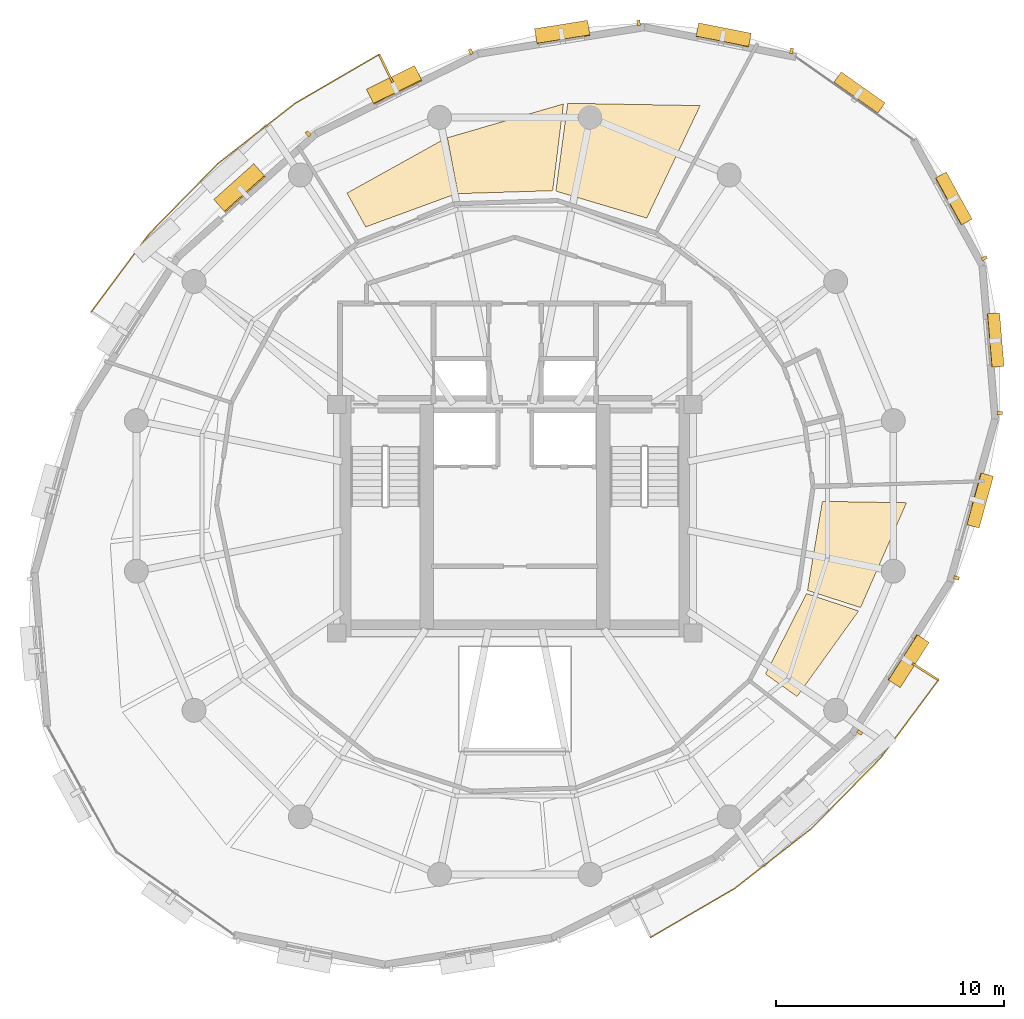
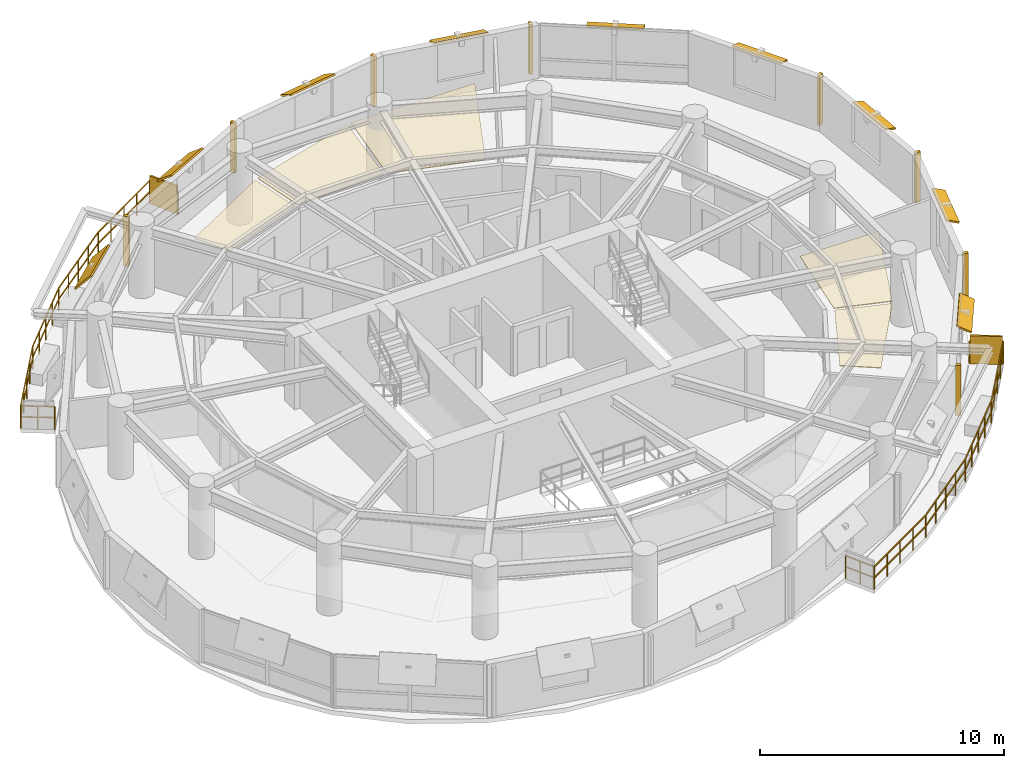
# One storey, part 12 of 12: 19 shading devices, 5 coverings, 2 railings.
"""IFC4 building model written with IfcOpenShell, lengths in metres."""

import ifcopenshell
import ifcopenshell.guid

model = None  # the IFC model being written
_history = None  # IfcOwnerHistory: only IFC2X3 demands one
_inside = {}  # id of a spatial element -> (the spatial element, [elements in it])
_under = {}  # id of a project, library or spatial element -> (it, [spatial elements below it])
_declared = {}  # id of a project -> (the project, [libraries it declares])
_typed = {}  # id of a type object -> (the type object, [elements of that type])
_made_of = {}  # id of a material, layer set ... -> (it, [elements and type objects made of it])


def new_model(schema):
    """Start an empty IFC model of exactly this schema.

    Asked for "IFC4X3", IfcOpenShell would pick the latest addendum, in which some entities
    have other attributes; the version numbers below select the first issue.
    IFC2X3 requires an IfcOwnerHistory on every rooted entity: one is made here for all.
    """
    global model, _history
    if schema == "IFC4X3":
        model = ifcopenshell.file(schema_version=(4, 3, 0, 0))
    else:
        model = ifcopenshell.file(schema=schema)
    _inside.clear()
    _under.clear()
    _declared.clear()
    _typed.clear()
    _made_of.clear()
    _history = None
    if model.schema == "IFC2X3":
        org = make("IfcOrganization", Name="unknown")
        user = make(
            "IfcPersonAndOrganization",
            ThePerson=make("IfcPerson", FamilyName="unknown"),
            TheOrganization=org,
        )
        app = make(
            "IfcApplication",
            ApplicationDeveloper=org,
            Version="unknown",
            ApplicationFullName="unknown",
            ApplicationIdentifier="unknown",
        )
        _history = make(
            "IfcOwnerHistory",
            OwningUser=user,
            OwningApplication=app,
            ChangeAction="ADDED",
            CreationDate=0,
        )
    return model


def make(cls, **values):
    """One entity of the class cls with the attributes given. An attribute that is None is left unset."""
    return model.create_entity(
        cls, **{name: value for name, value in values.items() if value is not None}
    )


def rooted(cls, **values):
    """An entity with a GlobalId (a new one), such as an element, a storey or a relation."""
    return make(cls, GlobalId=ifcopenshell.guid.new(), OwnerHistory=_history, **values)


def si_unit(unit_type, name, prefix=None):
    """IfcSIUnit, for example si_unit("LENGTHUNIT", "METRE", prefix="MILLI")."""
    return make("IfcSIUnit", UnitType=unit_type, Prefix=prefix, Name=name)


def assignment(units):
    """IfcUnitAssignment: the units of a project."""
    return None if units is None else make("IfcUnitAssignment", Units=units)


def point(xyz):
    """IfcCartesianPoint."""
    return None if xyz is None else make("IfcCartesianPoint", Coordinates=xyz)


def direction(xyz):
    """IfcDirection."""
    return None if xyz is None else make("IfcDirection", DirectionRatios=xyz)


def frame(location, z_axis=None, x_axis=None):
    """IfcAxis2Placement3D, a coordinate frame: its origin and axes. An axis left out is left unset."""
    return make(
        "IfcAxis2Placement3D",
        Location=point(location),
        Axis=direction(z_axis),
        RefDirection=direction(x_axis),
    )


def frame_2d(location, x_axis=None):
    """IfcAxis2Placement2D, a coordinate frame in the plane: its origin and x axis."""
    return make(
        "IfcAxis2Placement2D", Location=point(location), RefDirection=direction(x_axis)
    )


def origin():
    """The frame at (0, 0, 0) with its axes left unset."""
    return frame((0.0, 0.0, 0.0))


def origin_2d():
    """The frame at (0, 0) in the plane with its x axis left unset."""
    return frame_2d((0.0, 0.0))


def place(relative_to, where):
    """IfcLocalPlacement: puts the frame where relative to a parent placement (None: the world)."""
    return make(
        "IfcLocalPlacement", PlacementRelTo=relative_to, RelativePlacement=where
    )


def context(
    kind, dimensions, precision=None, world=None, true_north=None, identifier=None
):
    """IfcGeometricRepresentationContext, for example the 3D "Model" context."""
    return make(
        "IfcGeometricRepresentationContext",
        ContextIdentifier=identifier,
        ContextType=kind,
        CoordinateSpaceDimension=dimensions,
        Precision=precision,
        WorldCoordinateSystem=world,
        TrueNorth=true_north,
    )


def subcontext(parent, identifier, kind, view, scale=None):
    """IfcGeometricRepresentationSubContext, for example "Body" below "Model"."""
    return make(
        "IfcGeometricRepresentationSubContext",
        ContextIdentifier=identifier,
        ContextType=kind,
        ParentContext=parent,
        TargetScale=scale,
        TargetView=view,
    )


def project(units=None, contexts=None):
    """IfcProject with its units and contexts."""
    return rooted(
        "IfcProject",
        Name="project",
        RepresentationContexts=contexts,
        UnitsInContext=assignment(units),
    )


def spatial(cls, under=None, at=None, **own):
    """A site, building, storey or space (cls), placed at a placement, below another one or the project."""
    s = rooted(cls, ObjectPlacement=at, **own)
    if under is not None:
        _under.setdefault(under.id(), (under, []))[1].append(s)
    return s


def polyline(points):
    """IfcPolyline through the points."""
    return make("IfcPolyline", Points=[point(p) for p in points])


def profile(cls, at=None, kind="AREA", **sizes):
    """A parametric profile (cls). Its sizes go by their IFC names, for example OverallWidth=200.0."""
    return make(cls, ProfileType=kind, Position=at, **sizes)


def rectangle(**sizes):
    """IfcRectangleProfileDef."""
    return profile("IfcRectangleProfileDef", **sizes)


def outline(outer, holes=None, kind="AREA"):
    """IfcArbitraryClosedProfileDef: a profile drawn as a closed curve; with holes, ...WithVoids."""
    if holes is None:
        return make("IfcArbitraryClosedProfileDef", ProfileType=kind, OuterCurve=outer)
    return make(
        "IfcArbitraryProfileDefWithVoids",
        ProfileType=kind,
        OuterCurve=outer,
        InnerCurves=holes,
    )


def extrude(swept, where, along, depth):
    """IfcExtrudedAreaSolid: the profile swept, set in the frame where, extruded along a direction by depth."""
    return make(
        "IfcExtrudedAreaSolid",
        SweptArea=swept,
        Position=where,
        ExtrudedDirection=direction(along),
        Depth=depth,
    )


def shape(context_of_items, identifier, shape_type, items):
    """IfcShapeRepresentation: the items that make up one representation, for example the "Body"."""
    return make(
        "IfcShapeRepresentation",
        ContextOfItems=context_of_items,
        RepresentationIdentifier=identifier,
        RepresentationType=shape_type,
        Items=items,
    )


def material(Name=None, Category=None):
    """IfcMaterial."""
    return make("IfcMaterial", Name=Name, Category=Category)


def layer(
    of_material, thickness, ventilated=None, Name=None, Category=None, Priority=None
):
    """IfcMaterialLayer: one layer of a wall or slab, of a material (None: an air gap)."""
    return make(
        "IfcMaterialLayer",
        Material=of_material,
        LayerThickness=thickness,
        IsVentilated=ventilated,
        Name=Name,
        Category=Category,
        Priority=Priority,
    )


def layer_set(layers, Name=None):
    """IfcMaterialLayerSet."""
    return make("IfcMaterialLayerSet", MaterialLayers=layers, LayerSetName=Name)


def made_of(thing, what):
    """Note that an element or type object is made of a material, layer set ...; save() writes the relation."""
    if what is not None:
        _made_of.setdefault(what.id(), (what, []))[1].append(thing)
    return thing


def type_object(cls, material=None, **own):
    """A type object (cls), such as IfcWallType, which elements share."""
    return made_of(rooted(cls, **own), material)


def element(
    cls,
    number,
    at=None,
    inside=None,
    cuts=None,
    type_object=None,
    material=None,
    context=None,
    identifier="Body",
    shape_type=None,
    held_by="IfcProductDefinitionShape",
    body=None,
    shapes=None,
    **own,
):
    """One element of the class cls, such as IfcWall. Its Tag is "e" and its number.

    at: its placement. inside: the storey or other place that contains it. cuts: it is an
    opening in that element (IfcRelVoidsElement). A single representation is given by context,
    identifier, shape_type and body (its items); several are given by shapes. held_by: the class
    of the entity that holds the representations. save() writes the other relations.
    """
    e = rooted(cls, Tag="e%d" % number, ObjectPlacement=at, **own)
    if body is not None:
        shapes = [shape(context, identifier, shape_type, body)]
    if shapes is not None:
        e.Representation = make(held_by, Representations=shapes)
    if inside is not None:
        _inside.setdefault(inside.id(), (inside, []))[1].append(e)
    if cuts is not None:
        rooted(
            "IfcRelVoidsElement", RelatingBuildingElement=cuts, RelatedOpeningElement=e
        )
    if type_object is not None:
        _typed.setdefault(type_object.id(), (type_object, []))[1].append(e)
    return made_of(e, material)


def aggregate(whole, parts):
    """IfcRelAggregates: a whole, such as a stair, and the parts it consists of."""
    return rooted("IfcRelAggregates", RelatingObject=whole, RelatedObjects=parts)


def save(model, path):
    """Write the relations noted so far, then the file.

    IfcRelAggregates (storeys below a building ...), IfcRelContainedInSpatialStructure (elements
    in a storey), IfcRelDefinesByType, IfcRelAssociatesMaterial and IfcRelDeclares: one each for
    every whole, place, type object, material and project.
    """
    for whole, parts in _under.values():
        aggregate(whole, parts)
    for where, things in _inside.values():
        rooted(
            "IfcRelContainedInSpatialStructure",
            RelatedElements=things,
            RelatingStructure=where,
        )
    for kind, things in _typed.values():
        rooted("IfcRelDefinesByType", RelatedObjects=things, RelatingType=kind)
    for what, things in _made_of.values():
        rooted("IfcRelAssociatesMaterial", RelatedObjects=things, RelatingMaterial=what)
    for by, libraries in _declared.values():
        rooted("IfcRelDeclares", RelatingContext=by, RelatedDefinitions=libraries)
    model.write(path)


model = new_model("IFC4")

# Units and contexts
model_context = context("Model", 3, precision=1e-05, world=origin(), true_north=direction((0.0, 1.0)))
body_context = subcontext(model_context, "Body", "Model", "MODEL_VIEW")
ifc_project = project(units=[si_unit("LENGTHUNIT", "METRE"), si_unit("AREAUNIT", "SQUARE_METRE"), si_unit("VOLUMEUNIT", "CUBIC_METRE"), si_unit("PLANEANGLEUNIT", "RADIAN"), si_unit("MASSUNIT", "GRAM", prefix="KILO"), si_unit("THERMODYNAMICTEMPERATUREUNIT", "KELVIN"), si_unit("POWERUNIT", "WATT")], contexts=[model_context])

# Site, building, storey
site_placement = place(None, origin())
site = spatial("IfcSite", under=ifc_project, at=site_placement, CompositionType="ELEMENT")
building_placement = place(site_placement, origin())
building = spatial("IfcBuilding", under=site, at=building_placement, Name="Ocrelia Relay Tower", CompositionType="ELEMENT")
storey_placement = place(building_placement, frame((0.0, 0.0, 206.0)))
storey = spatial("IfcBuildingStorey", under=building, at=storey_placement, Name="L50", CompositionType="ELEMENT", Elevation=206.0)

# Coverings
ifc_material_1 = material(Name="Mineral-fiber acoustic ceiling tile", Category="gypsum")
ifc_layer_1 = layer(ifc_material_1, 0.0400390625, Name="Mineral-fiber acoustic ceiling tile")
ifc_layer_set_1 = layer_set([ifc_layer_1], Name="Mineral-fiber acoustic ceiling tile")
covering_type = type_object("IfcCoveringType", Name="COV-CEIL-ACOUSTIC", PredefinedType="CEILING", material=ifc_layer_set_1)
covering_1_placement = place(storey_placement, frame((0.0, 0.0, 2.3798828125)))
element("IfcCovering", 1, at=covering_1_placement, inside=storey, type_object=covering_type, Name="L50 Cloud Engineering Workspace Suspended Ceiling 1", PredefinedType="CEILING", context=body_context, shape_type="SweptSolid", body=[
    extrude(outline(polyline([(39.77783203125, 38.16796875), (42.11767578125, 43.095947265625), (36.31494140625, 43.197021484375), (35.797119140625, 39.349609375), (39.77783203125, 38.16796875)])), origin(), (0.0, 0.0, 1.0), 0.0400390625),
])
covering_2_placement = place(storey_placement, frame((0.0, 0.0, 2.3798828125)))
element("IfcCovering", 2, at=covering_2_placement, inside=storey, type_object=covering_type, Name="L50 Cloud Engineering Workspace Suspended Ceiling 2", PredefinedType="CEILING", context=body_context, shape_type="SweptSolid", body=[
    extrude(outline(polyline([(35.656982421875, 39.36767578125), (36.12841796875, 43.168212890625), (31.04541015625, 41.6865234375), (31.5068359375, 39.2373046875), (35.656982421875, 39.36767578125)])), origin(), (0.0, 0.0, 1.0), 0.0400390625),
])
covering_3_placement = place(storey_placement, frame((0.0, 0.0, 2.3798828125)))
element("IfcCovering", 3, at=covering_3_placement, inside=storey, type_object=covering_type, Name="L50 Cloud Engineering Workspace Suspended Ceiling 3", PredefinedType="CEILING", context=body_context, shape_type="SweptSolid", body=[
    extrude(outline(polyline([(31.368408203125, 39.21044921875), (30.888427734375, 41.619140625), (26.6484375, 39.262451171875), (27.469482421875, 37.781005859375), (31.368408203125, 39.21044921875)])), origin(), (0.0, 0.0, 1.0), 0.0400390625),
])
covering_4_placement = place(storey_placement, frame((0.0, 0.0, 2.3798828125)))
element("IfcCovering", 4, at=covering_4_placement, inside=storey, type_object=covering_type, Name="L50 Telemetry Operations Office Suspended Ceiling 1", PredefinedType="CEILING", context=body_context, shape_type="SweptSolid", body=[
    extrude(outline(polyline([(44.979736328125, 18.197021484375), (46.3603515625, 17.216064453125), (49.056396484375, 20.962158203125), (46.77392578125, 21.725830078125), (44.979736328125, 18.197021484375)])), origin(), (0.0, 0.0, 1.0), 0.0400390625),
])
covering_5_placement = place(storey_placement, frame((0.0, 0.0, 2.3798828125)))
element("IfcCovering", 5, at=covering_5_placement, inside=storey, type_object=covering_type, Name="L50 Telemetry Operations Office Suspended Ceiling 2", PredefinedType="CEILING", context=body_context, shape_type="SweptSolid", body=[
    extrude(outline(polyline([(46.818115234375, 21.85986328125), (49.141845703125, 21.109375), (51.1533203125, 25.70068359375), (47.468017578125, 25.764892578125), (46.818115234375, 21.85986328125)])), origin(), (0.0, 0.0, 1.0), 0.0400390625),
])

# Railings
ifc_material_2 = material(Name="Steel S355 balustrade", Category="steel")
railing_type = type_object("IfcRailingType", Name="RL-EXT-GUARD-1150", PredefinedType="GUARDRAIL", material=ifc_material_2)
railing_1_placement = place(storey_placement, frame((16.620849609375, 33.3154296875, 0.0)))
element("IfcRailing", 6, at=railing_1_placement, inside=storey, type_object=railing_type, Name="L50 Loggia Balcony Guard Rail B1", PredefinedType="GUARDRAIL", context=body_context, shape_type="SweptSolid", body=[
    extrude(rectangle(XDim=0.048095703125, YDim=0.048095703125, at=origin_2d()), frame((0.0, 0.0, 1.1259765625), z_axis=(-0.842910375018, 0.538053993282, 0.0), x_axis=(-0.538053993282, -0.842910375018, 0.0)), (0.0, 0.0, 1.0), 1.3935546875),
    extrude(rectangle(XDim=0.048095703125, YDim=0.048095703125, at=origin_2d()), frame((0.0, 0.0, 0.574951171875), z_axis=(-0.842910375018, 0.538053993282, 0.0), x_axis=(-0.538053993282, -0.842910375018, 0.0)), (0.0, 0.0, 1.0), 1.3935546875),
    extrude(rectangle(XDim=0.048095703125, YDim=0.048095703125, at=origin_2d()), frame((-1.174560546875, 0.749755859375, 1.1259765625), z_axis=(0.596006929615, 0.802979289802, 0.0), x_axis=(-0.802979289802, 0.596006929615, 0.0)), (0.0, 0.0, 1.0), 2.126708984375),
    extrude(rectangle(XDim=0.048095703125, YDim=0.048095703125, at=origin_2d()), frame((-1.174560546875, 0.749755859375, 0.574951171875), z_axis=(0.596006929615, 0.802979289802, 0.0), x_axis=(-0.802979289802, 0.596006929615, 0.0)), (0.0, 0.0, 1.0), 2.126708984375),
    extrude(rectangle(XDim=0.048095703125, YDim=0.048095703125, at=origin_2d()), frame((0.093017578125, 2.45751953125, 1.1259765625), z_axis=(0.595987848361, 0.802993452405, 0.0), x_axis=(-0.802993452405, 0.595987848361, 0.0)), (0.0, 0.0, 1.0), 2.12646484375),
    extrude(rectangle(XDim=0.048095703125, YDim=0.048095703125, at=origin_2d()), frame((0.093017578125, 2.45751953125, 0.574951171875), z_axis=(0.595987848361, 0.802993452405, 0.0), x_axis=(-0.802993452405, 0.595987848361, 0.0)), (0.0, 0.0, 1.0), 2.12646484375),
    extrude(rectangle(XDim=0.048095703125, YDim=0.048095703125, at=origin_2d()), frame((1.3603515625, 4.1650390625, 1.1259765625), z_axis=(0.699198268151, 0.714927815807, 0.0), x_axis=(-0.714927815807, 0.699198268151, 0.0)), (0.0, 0.0, 1.0), 4.29931640625),
    extrude(rectangle(XDim=0.048095703125, YDim=0.048095703125, at=origin_2d()), frame((1.3603515625, 4.1650390625, 0.574951171875), z_axis=(0.699198268151, 0.714927815807, 0.0), x_axis=(-0.714927815807, 0.699198268151, 0.0)), (0.0, 0.0, 1.0), 4.29931640625),
    extrude(rectangle(XDim=0.048095703125, YDim=0.048095703125, at=origin_2d()), frame((4.366455078125, 7.23876953125, 1.1259765625), z_axis=(0.788440058433, 0.615111594964, 0.0), x_axis=(-0.615111594964, 0.788440058433, 0.0)), (0.0, 0.0, 1.0), 4.298828125),
    extrude(rectangle(XDim=0.048095703125, YDim=0.048095703125, at=origin_2d()), frame((4.366455078125, 7.23876953125, 0.574951171875), z_axis=(0.788440058433, 0.615111594964, 0.0), x_axis=(-0.615111594964, 0.788440058433, 0.0)), (0.0, 0.0, 1.0), 4.298828125),
    extrude(rectangle(XDim=0.048095703125, YDim=0.048095703125, at=origin_2d()), frame((7.755859375, 9.883056640625, 1.1259765625), z_axis=(0.864373741917, 0.502849912285, 0.0), x_axis=(-0.502849912285, 0.864373741917, 0.0)), (0.0, 0.0, 1.0), 2.12646484375),
    extrude(rectangle(XDim=0.048095703125, YDim=0.048095703125, at=origin_2d()), frame((7.755859375, 9.883056640625, 0.574951171875), z_axis=(0.864373741917, 0.502849912285, 0.0), x_axis=(-0.502849912285, 0.864373741917, 0.0)), (0.0, 0.0, 1.0), 2.12646484375),
    extrude(rectangle(XDim=0.048095703125, YDim=0.048095703125, at=origin_2d()), frame((9.593994140625, 10.952392578125, 1.1259765625), z_axis=(0.864373741917, 0.502849912285, 0.0), x_axis=(-0.502849912285, 0.864373741917, 0.0)), (0.0, 0.0, 1.0), 2.12646484375),
    extrude(rectangle(XDim=0.048095703125, YDim=0.048095703125, at=origin_2d()), frame((9.593994140625, 10.952392578125, 0.574951171875), z_axis=(0.864373741917, 0.502849912285, 0.0), x_axis=(-0.502849912285, 0.864373741917, 0.0)), (0.0, 0.0, 1.0), 2.12646484375),
    extrude(rectangle(XDim=0.048095703125, YDim=0.048095703125, at=origin_2d()), frame((11.43212890625, 12.021728515625, 1.1259765625), z_axis=(0.440824636591, -0.897593248512, 0.0), x_axis=(0.897593248512, 0.440824636591, 0.0)), (0.0, 0.0, 1.0), 1.393310546875),
    extrude(rectangle(XDim=0.048095703125, YDim=0.048095703125, at=origin_2d()), frame((11.43212890625, 12.021728515625, 0.574951171875), z_axis=(0.440824636591, -0.897593248512, 0.0), x_axis=(0.897593248512, 0.440824636591, 0.0)), (0.0, 0.0, 1.0), 1.393310546875),
    extrude(rectangle(XDim=0.0419921875, YDim=0.0419921875, at=origin_2d()), origin(), (0.0, 0.0, 1.0), 1.101806640625),
    extrude(rectangle(XDim=0.0419921875, YDim=0.0419921875, at=origin_2d()), frame((-0.58740234375, 0.375, 0.0)), (0.0, 0.0, 1.0), 1.101806640625),
    extrude(rectangle(XDim=0.0419921875, YDim=0.0419921875, at=origin_2d()), frame((-1.174560546875, 0.749755859375, 0.0)), (0.0, 0.0, 1.0), 1.101806640625),
    extrude(rectangle(XDim=0.0419921875, YDim=0.0419921875, at=origin_2d()), frame((-0.540771484375, 1.603515625, 0.0)), (0.0, 0.0, 1.0), 1.101806640625),
    extrude(rectangle(XDim=0.0419921875, YDim=0.0419921875, at=origin_2d()), frame((0.093017578125, 2.45751953125, 0.0)), (0.0, 0.0, 1.0), 1.101806640625),
    extrude(rectangle(XDim=0.0419921875, YDim=0.0419921875, at=origin_2d()), frame((0.7265625, 3.311279296875, 0.0)), (0.0, 0.0, 1.0), 1.101806640625),
    extrude(rectangle(XDim=0.0419921875, YDim=0.0419921875, at=origin_2d()), frame((1.3603515625, 4.1650390625, 0.0)), (0.0, 0.0, 1.0), 1.101806640625),
    extrude(rectangle(XDim=0.0419921875, YDim=0.0419921875, at=origin_2d()), frame((2.11181640625, 4.93359375, 0.0)), (0.0, 0.0, 1.0), 1.101806640625),
    extrude(rectangle(XDim=0.0419921875, YDim=0.0419921875, at=origin_2d()), frame((2.86328125, 5.701904296875, 0.0)), (0.0, 0.0, 1.0), 1.101806640625),
    extrude(rectangle(XDim=0.0419921875, YDim=0.0419921875, at=origin_2d()), frame((3.614990234375, 6.47021484375, 0.0)), (0.0, 0.0, 1.0), 1.101806640625),
    extrude(rectangle(XDim=0.0419921875, YDim=0.0419921875, at=origin_2d()), frame((4.366455078125, 7.23876953125, 0.0)), (0.0, 0.0, 1.0), 1.101806640625),
    extrude(rectangle(XDim=0.0419921875, YDim=0.0419921875, at=origin_2d()), frame((5.2138671875, 7.89990234375, 0.0)), (0.0, 0.0, 1.0), 1.101806640625),
    extrude(rectangle(XDim=0.0419921875, YDim=0.0419921875, at=origin_2d()), frame((6.06103515625, 8.56103515625, 0.0)), (0.0, 0.0, 1.0), 1.101806640625),
    extrude(rectangle(XDim=0.0419921875, YDim=0.0419921875, at=origin_2d()), frame((6.908447265625, 9.221923828125, 0.0)), (0.0, 0.0, 1.0), 1.101806640625),
    extrude(rectangle(XDim=0.0419921875, YDim=0.0419921875, at=origin_2d()), frame((7.755859375, 9.883056640625, 0.0)), (0.0, 0.0, 1.0), 1.101806640625),
    extrude(rectangle(XDim=0.0419921875, YDim=0.0419921875, at=origin_2d()), frame((8.6748046875, 10.417724609375, 0.0)), (0.0, 0.0, 1.0), 1.101806640625),
    extrude(rectangle(XDim=0.0419921875, YDim=0.0419921875, at=origin_2d()), frame((9.593994140625, 10.952392578125, 0.0)), (0.0, 0.0, 1.0), 1.101806640625),
    extrude(rectangle(XDim=0.0419921875, YDim=0.0419921875, at=origin_2d()), frame((10.51318359375, 11.487060546875, 0.0)), (0.0, 0.0, 1.0), 1.101806640625),
    extrude(rectangle(XDim=0.0419921875, YDim=0.0419921875, at=origin_2d()), frame((11.43212890625, 12.021728515625, 0.0)), (0.0, 0.0, 1.0), 1.101806640625),
    extrude(rectangle(XDim=0.0419921875, YDim=0.0419921875, at=origin_2d()), frame((11.7392578125, 11.396484375, 0.0)), (0.0, 0.0, 1.0), 1.101806640625),
    extrude(rectangle(XDim=0.0419921875, YDim=0.0419921875, at=origin_2d()), frame((12.04638671875, 10.77099609375, 0.0)), (0.0, 0.0, 1.0), 1.101806640625),
])
railing_2_placement = place(storey_placement, frame((51.379150390625, 18.6845703125, 0.0)))
element("IfcRailing", 7, at=railing_2_placement, inside=storey, type_object=railing_type, Name="L50 Loggia Balcony Guard Rail B2", PredefinedType="GUARDRAIL", context=body_context, shape_type="SweptSolid", body=[
    extrude(rectangle(XDim=0.048095703125, YDim=0.048095703125, at=origin_2d()), frame((0.0, 0.0, 1.1259765625), z_axis=(0.842910375018, -0.538053993282, 0.0), x_axis=(0.538053993282, 0.842910375018, 0.0)), (0.0, 0.0, 1.0), 1.3935546875),
    extrude(rectangle(XDim=0.048095703125, YDim=0.048095703125, at=origin_2d()), frame((0.0, 0.0, 0.574951171875), z_axis=(0.842910375018, -0.538053993282, 0.0), x_axis=(0.538053993282, 0.842910375018, 0.0)), (0.0, 0.0, 1.0), 1.3935546875),
    extrude(rectangle(XDim=0.048095703125, YDim=0.048095703125, at=origin_2d()), frame((1.174560546875, -0.749755859375, 1.1259765625), z_axis=(-0.595932906069, -0.803034228078, 0.0), x_axis=(0.803034228078, -0.595932906069, 0.0)), (0.0, 0.0, 1.0), 2.126708984375),
    extrude(rectangle(XDim=0.048095703125, YDim=0.048095703125, at=origin_2d()), frame((1.174560546875, -0.749755859375, 0.574951171875), z_axis=(-0.595932906069, -0.803034228078, 0.0), x_axis=(0.803034228078, -0.595932906069, 0.0)), (0.0, 0.0, 1.0), 2.126708984375),
    extrude(rectangle(XDim=0.048095703125, YDim=0.048095703125, at=origin_2d()), frame((-0.0927734375, -2.45751953125, 1.1259765625), z_axis=(-0.596061871212, -0.802938506791, 0.0), x_axis=(0.802938506791, -0.596061871212, 0.0)), (0.0, 0.0, 1.0), 2.126708984375),
    extrude(rectangle(XDim=0.048095703125, YDim=0.048095703125, at=origin_2d()), frame((-0.0927734375, -2.45751953125, 0.574951171875), z_axis=(-0.596061871212, -0.802938506791, 0.0), x_axis=(0.802938506791, -0.596061871212, 0.0)), (0.0, 0.0, 1.0), 2.126708984375),
    extrude(rectangle(XDim=0.048095703125, YDim=0.048095703125, at=origin_2d()), frame((-1.3603515625, -4.1650390625, 1.1259765625), z_axis=(-0.699198268151, -0.714927815807, 0.0), x_axis=(0.714927815807, -0.699198268151, 0.0)), (0.0, 0.0, 1.0), 4.29931640625),
    extrude(rectangle(XDim=0.048095703125, YDim=0.048095703125, at=origin_2d()), frame((-1.3603515625, -4.1650390625, 0.574951171875), z_axis=(-0.699198268151, -0.714927815807, 0.0), x_axis=(0.714927815807, -0.699198268151, 0.0)), (0.0, 0.0, 1.0), 4.29931640625),
    extrude(rectangle(XDim=0.048095703125, YDim=0.048095703125, at=origin_2d()), frame((-4.366455078125, -7.23876953125, 1.1259765625), z_axis=(-0.788440058433, -0.615111594964, 0.0), x_axis=(0.615111594964, -0.788440058433, 0.0)), (0.0, 0.0, 1.0), 4.298828125),
    extrude(rectangle(XDim=0.048095703125, YDim=0.048095703125, at=origin_2d()), frame((-4.366455078125, -7.23876953125, 0.574951171875), z_axis=(-0.788440058433, -0.615111594964, 0.0), x_axis=(0.615111594964, -0.788440058433, 0.0)), (0.0, 0.0, 1.0), 4.298828125),
    extrude(rectangle(XDim=0.048095703125, YDim=0.048095703125, at=origin_2d()), frame((-7.755859375, -9.883056640625, 1.1259765625), z_axis=(-0.864373741917, -0.502849912285, 0.0), x_axis=(0.502849912285, -0.864373741917, 0.0)), (0.0, 0.0, 1.0), 2.12646484375),
    extrude(rectangle(XDim=0.048095703125, YDim=0.048095703125, at=origin_2d()), frame((-7.755859375, -9.883056640625, 0.574951171875), z_axis=(-0.864373741917, -0.502849912285, 0.0), x_axis=(0.502849912285, -0.864373741917, 0.0)), (0.0, 0.0, 1.0), 2.12646484375),
    extrude(rectangle(XDim=0.048095703125, YDim=0.048095703125, at=origin_2d()), frame((-9.593994140625, -10.952392578125, 1.1259765625), z_axis=(-0.864373741917, -0.502849912285, 0.0), x_axis=(0.502849912285, -0.864373741917, 0.0)), (0.0, 0.0, 1.0), 2.12646484375),
    extrude(rectangle(XDim=0.048095703125, YDim=0.048095703125, at=origin_2d()), frame((-9.593994140625, -10.952392578125, 0.574951171875), z_axis=(-0.864373741917, -0.502849912285, 0.0), x_axis=(0.502849912285, -0.864373741917, 0.0)), (0.0, 0.0, 1.0), 2.12646484375),
    extrude(rectangle(XDim=0.048095703125, YDim=0.048095703125, at=origin_2d()), frame((-11.43212890625, -12.021728515625, 1.1259765625), z_axis=(-0.440824636591, 0.897593248512, 0.0), x_axis=(-0.897593248512, -0.440824636591, 0.0)), (0.0, 0.0, 1.0), 1.393310546875),
    extrude(rectangle(XDim=0.048095703125, YDim=0.048095703125, at=origin_2d()), frame((-11.43212890625, -12.021728515625, 0.574951171875), z_axis=(-0.440824636591, 0.897593248512, 0.0), x_axis=(-0.897593248512, -0.440824636591, 0.0)), (0.0, 0.0, 1.0), 1.393310546875),
    extrude(rectangle(XDim=0.0419921875, YDim=0.0419921875, at=origin_2d()), origin(), (0.0, 0.0, 1.0), 1.101806640625),
    extrude(rectangle(XDim=0.0419921875, YDim=0.0419921875, at=origin_2d()), frame((0.58740234375, -0.375, 0.0)), (0.0, 0.0, 1.0), 1.101806640625),
    extrude(rectangle(XDim=0.0419921875, YDim=0.0419921875, at=origin_2d()), frame((1.174560546875, -0.749755859375, 0.0)), (0.0, 0.0, 1.0), 1.101806640625),
    extrude(rectangle(XDim=0.0419921875, YDim=0.0419921875, at=origin_2d()), frame((0.541015625, -1.603515625, 0.0)), (0.0, 0.0, 1.0), 1.101806640625),
    extrude(rectangle(XDim=0.0419921875, YDim=0.0419921875, at=origin_2d()), frame((-0.0927734375, -2.45751953125, 0.0)), (0.0, 0.0, 1.0), 1.101806640625),
    extrude(rectangle(XDim=0.0419921875, YDim=0.0419921875, at=origin_2d()), frame((-0.7265625, -3.311279296875, 0.0)), (0.0, 0.0, 1.0), 1.101806640625),
    extrude(rectangle(XDim=0.0419921875, YDim=0.0419921875, at=origin_2d()), frame((-1.3603515625, -4.1650390625, 0.0)), (0.0, 0.0, 1.0), 1.101806640625),
    extrude(rectangle(XDim=0.0419921875, YDim=0.0419921875, at=origin_2d()), frame((-2.11181640625, -4.93359375, 0.0)), (0.0, 0.0, 1.0), 1.101806640625),
    extrude(rectangle(XDim=0.0419921875, YDim=0.0419921875, at=origin_2d()), frame((-2.86328125, -5.701904296875, 0.0)), (0.0, 0.0, 1.0), 1.101806640625),
    extrude(rectangle(XDim=0.0419921875, YDim=0.0419921875, at=origin_2d()), frame((-3.614990234375, -6.47021484375, 0.0)), (0.0, 0.0, 1.0), 1.101806640625),
    extrude(rectangle(XDim=0.0419921875, YDim=0.0419921875, at=origin_2d()), frame((-4.366455078125, -7.23876953125, 0.0)), (0.0, 0.0, 1.0), 1.101806640625),
    extrude(rectangle(XDim=0.0419921875, YDim=0.0419921875, at=origin_2d()), frame((-5.2138671875, -7.89990234375, 0.0)), (0.0, 0.0, 1.0), 1.101806640625),
    extrude(rectangle(XDim=0.0419921875, YDim=0.0419921875, at=origin_2d()), frame((-6.06103515625, -8.56103515625, 0.0)), (0.0, 0.0, 1.0), 1.101806640625),
    extrude(rectangle(XDim=0.0419921875, YDim=0.0419921875, at=origin_2d()), frame((-6.908447265625, -9.221923828125, 0.0)), (0.0, 0.0, 1.0), 1.101806640625),
    extrude(rectangle(XDim=0.0419921875, YDim=0.0419921875, at=origin_2d()), frame((-7.755859375, -9.883056640625, 0.0)), (0.0, 0.0, 1.0), 1.101806640625),
    extrude(rectangle(XDim=0.0419921875, YDim=0.0419921875, at=origin_2d()), frame((-8.6748046875, -10.417724609375, 0.0)), (0.0, 0.0, 1.0), 1.101806640625),
    extrude(rectangle(XDim=0.0419921875, YDim=0.0419921875, at=origin_2d()), frame((-9.593994140625, -10.952392578125, 0.0)), (0.0, 0.0, 1.0), 1.101806640625),
    extrude(rectangle(XDim=0.0419921875, YDim=0.0419921875, at=origin_2d()), frame((-10.51318359375, -11.487060546875, 0.0)), (0.0, 0.0, 1.0), 1.101806640625),
    extrude(rectangle(XDim=0.0419921875, YDim=0.0419921875, at=origin_2d()), frame((-11.43212890625, -12.021728515625, 0.0)), (0.0, 0.0, 1.0), 1.101806640625),
    extrude(rectangle(XDim=0.0419921875, YDim=0.0419921875, at=origin_2d()), frame((-11.7392578125, -11.396484375, 0.0)), (0.0, 0.0, 1.0), 1.101806640625),
    extrude(rectangle(XDim=0.0419921875, YDim=0.0419921875, at=origin_2d()), frame((-12.04638671875, -10.77099609375, 0.0)), (0.0, 0.0, 1.0), 1.101806640625),
])

# Shading devices
ifc_material_3 = material(Name="Perforated oxide terracotta solar screen", Category="masonry")
ifc_layer_2 = layer(ifc_material_3, 0.090087890625, Name="Perforated oxide terracotta solar screen")
ifc_layer_set_2 = layer_set([ifc_layer_2], Name="Perforated oxide terracotta solar screen")
shading_device_type_1 = type_object("IfcShadingDeviceType", Name="SH-BALC-SCREEN", PredefinedType="USERDEFINED", material=ifc_layer_set_2)
for number, where, z_axis, x_axis, name in (
    (8, (28.360107421875, 44.7119140625, 0.0), (0.0, 0.0, 1.0), (-0.440772020625, 0.897619087271, 0.0), "L50 Balcony Perforated Terracotta Screen B1-1"),
    (9, (51.966552734375, 18.3095703125, 0.0), (0.0, 0.0, 1.0), (0.842904205387, -0.538063658446, 0.0), "L50 Balcony Perforated Terracotta Screen B2-2"),
):
    element("IfcShadingDevice", number, at=place(storey_placement, frame(where, z_axis=z_axis, x_axis=x_axis)), inside=storey, type_object=shading_device_type_1, Name=name, ObjectType="SCREEN", PredefinedType="USERDEFINED", context=body_context, shape_type="SweptSolid", body=[
        extrude(rectangle(XDim=1.340087890625, YDim=0.090087890625, at=origin_2d()), origin(), (0.0, 0.0, 1.0), 1.39990234375),
    ])
ifc_material_4 = material(Name="Extruded oxide terracotta vertical baguette", Category="masonry")
shading_device_type_2 = type_object("IfcShadingDeviceType", Name="SH-TERR-BAGUETTE", PredefinedType="USERDEFINED", material=ifc_material_4)
for number, where, z_axis, x_axis, name in (
    (10, (46.12060546875, 45.4921875, 0.080078125), (0.0, 0.0, 1.0), (-0.981102330066, 0.193489580956, 0.0), "L50 Oxide Terracotta Vertical Baguette 02"),
    (11, (39.42041015625, 46.71435546875, 0.080078125), (0.0, 0.0, 1.0), (-0.987400277531, -0.158242509873, 0.0), "L50 Oxide Terracotta Vertical Baguette 03"),
    (12, (32.072509765625, 45.454833984375, 0.080078125), (0.0, 0.0, 1.0), (-0.896938449796, -0.442155422083, 0.0), "L50 Oxide Terracotta Vertical Baguette 04"),
    (13, (24.947265625, 41.861083984375, 0.080078125), (0.0, 0.0, 1.0), (-0.745472659088, -0.666536206483, 0.0), "L50 Oxide Terracotta Vertical Baguette 05"),
    (14, (49.101806640625, 15.64501953125, 0.080078125), (0.0, 0.0, 1.0), (0.539387998988, 0.842057353479, 0.0), "L50 Oxide Terracotta Vertical Baguette 15"),
    (15, (53.34033203125, 22.412109375, 0.080078125), (0.0, 0.0, 1.0), (0.267307095451, 0.963611393001, 0.0), "L50 Oxide Terracotta Vertical Baguette 16"),
    (16, (55.2412109375, 29.628662109375, 0.080078125), (0.0, 0.0, 1.0), (-0.082920329561, 0.996556179523, 0.0), "L50 Oxide Terracotta Vertical Baguette 17"),
    (17, (54.55859375, 36.413330078125, 0.080078125), (0.0, 0.0, 1.0), (-0.482049498647, 0.876143984088, 0.0), "L50 Oxide Terracotta Vertical Baguette 18"),
):
    element("IfcShadingDevice", number, at=place(storey_placement, frame(where, z_axis=z_axis, x_axis=x_axis)), inside=storey, type_object=shading_device_type_2, Name=name, ObjectType="BAGUETTE", PredefinedType="USERDEFINED", context=body_context, shape_type="SweptSolid", body=[
        extrude(rectangle(XDim=0.139892578125, YDim=0.239990234375, at=origin_2d()), origin(), (0.0, 0.0, 1.0), 2.5),
    ])
ifc_material_5 = material(Name="Extruded oxide terracotta fin", Category="masonry")
ifc_layer_3 = layer(ifc_material_5, 0.080078125, Name="Extruded oxide terracotta fin")
ifc_layer_set_3 = layer_set([ifc_layer_3], Name="Extruded oxide terracotta fin")
shading_device_type_3 = type_object("IfcShadingDeviceType", Name="SH-VISOR-FIN-MED", PredefinedType="USERDEFINED", material=ifc_layer_set_3)
shading_device_1_placement = place(storey_placement, frame((28.730224609375, 43.97265625, 2.468505859375), z_axis=(-0.274583376625, 0.557008635132, 0.783801856128), x_axis=(-0.896938449796, -0.442155422083, 0.0)))
element("IfcShadingDevice", 18, at=shading_device_1_placement, inside=storey, type_object=shading_device_type_3, Name="L50 Canted Terracotta Sun-Visor Fin 04", ObjectType="FIN", PredefinedType="USERDEFINED", context=body_context, shape_type="SweptSolid", body=[
    extrude(rectangle(XDim=2.35009765625, YDim=0.889892578125, at=origin_2d()), origin(), (0.0, 0.0, 1.0), 0.080078125),
])
shading_device_2_placement = place(storey_placement, frame((21.96484375, 39.460693359375, 2.4736328125), z_axis=(-0.502583058882, 0.562102892046, 0.656848999146), x_axis=(-0.745472659088, -0.666536206483, 0.0)))
element("IfcShadingDevice", 19, at=shading_device_2_placement, inside=storey, type_object=shading_device_type_3, Name="L50 Canted Terracotta Sun-Visor Fin 05", ObjectType="FIN", PredefinedType="USERDEFINED", context=body_context, shape_type="SweptSolid", body=[
    extrude(rectangle(XDim=2.35009765625, YDim=1.06591796875, at=origin_2d()), origin(), (0.0, 0.0, 1.0), 0.080078125),
])
ifc_layer_4 = layer(ifc_material_5, 0.080078125, Name="Extruded oxide terracotta fin")
ifc_layer_set_4 = layer_set([ifc_layer_4], Name="Extruded oxide terracotta fin")
shading_device_type_4 = type_object("IfcShadingDeviceType", Name="SH-VISOR-FIN-SHAL", PredefinedType="USERDEFINED", material=ifc_layer_set_4)
shading_device_3_placement = place(storey_placement, frame((49.080322265625, 43.6435546875, 2.46240234375), z_axis=(0.198760335989, 0.281554743046, 0.938733857654), x_axis=(-0.816946248172, 0.576713817762, 0.0)))
element("IfcShadingDevice", 20, at=shading_device_3_placement, inside=storey, type_object=shading_device_type_4, Name="L50 Canted Terracotta Sun-Visor Fin 01", ObjectType="FIN", PredefinedType="USERDEFINED", context=body_context, shape_type="SweptSolid", body=[
    extrude(rectangle(XDim=2.35009765625, YDim=0.5859375, at=origin_2d()), origin(), (0.0, 0.0, 1.0), 0.080078125),
])
shading_device_4_placement = place(storey_placement, frame((43.14013671875, 46.16748046875, 2.46337890625), z_axis=(0.078050910634, 0.395762551702, 0.915030085855), x_axis=(-0.981102330066, 0.193489580956, 0.0)))
element("IfcShadingDevice", 21, at=shading_device_4_placement, inside=storey, type_object=shading_device_type_4, Name="L50 Canted Terracotta Sun-Visor Fin 02", ObjectType="FIN", PredefinedType="USERDEFINED", context=body_context, shape_type="SweptSolid", body=[
    extrude(rectangle(XDim=2.35009765625, YDim=0.64599609375, at=origin_2d()), origin(), (0.0, 0.0, 1.0), 0.080078125),
])
shading_device_5_placement = place(storey_placement, frame((36.08251953125, 46.287109375, 2.46533203125), z_axis=(-0.078378631713, 0.489066324644, 0.868717975058), x_axis=(-0.987400277531, -0.158242509873, 0.0)))
element("IfcShadingDevice", 22, at=shading_device_5_placement, inside=storey, type_object=shading_device_type_4, Name="L50 Canted Terracotta Sun-Visor Fin 03", ObjectType="FIN", PredefinedType="USERDEFINED", context=body_context, shape_type="SweptSolid", body=[
    extrude(rectangle(XDim=2.35009765625, YDim=0.7451171875, at=origin_2d()), origin(), (0.0, 0.0, 1.0), 0.080078125),
])
shading_device_6_placement = place(storey_placement, frame((51.225341796875, 18.778564453125, 2.4638671875), z_axis=(0.367283248045, -0.235266844243, 0.899862504889), x_axis=(0.539387998988, 0.842057353479, 0.0)))
element("IfcShadingDevice", 23, at=shading_device_6_placement, inside=storey, type_object=shading_device_type_4, Name="L50 Canted Terracotta Sun-Visor Fin 15", ObjectType="FIN", PredefinedType="USERDEFINED", context=body_context, shape_type="SweptSolid", body=[
    extrude(rectangle(XDim=2.35009765625, YDim=0.680908203125, at=origin_2d()), origin(), (0.0, 0.0, 1.0), 0.080078125),
])
shading_device_7_placement = place(storey_placement, frame((54.354736328125, 25.806884765625, 2.46240234375), z_axis=(0.335099698884, -0.092957106823, 0.937585819058), x_axis=(0.267307095451, 0.963611393001, 0.0)))
element("IfcShadingDevice", 24, at=shading_device_7_placement, inside=storey, type_object=shading_device_type_4, Name="L50 Canted Terracotta Sun-Visor Fin 16", ObjectType="FIN", PredefinedType="USERDEFINED", context=body_context, shape_type="SweptSolid", body=[
    extrude(rectangle(XDim=2.35009765625, YDim=0.589111328125, at=origin_2d()), origin(), (0.0, 0.0, 1.0), 0.080078125),
])
shading_device_8_placement = place(storey_placement, frame((55.039306640625, 32.82763671875, 2.4619140625), z_axis=(0.310928813346, 0.025871416186, 0.950081019101), x_axis=(-0.082920329561, 0.996556179523, 0.0)))
element("IfcShadingDevice", 25, at=shading_device_8_placement, inside=storey, type_object=shading_device_type_4, Name="L50 Canted Terracotta Sun-Visor Fin 17", ObjectType="FIN", PredefinedType="USERDEFINED", context=body_context, shape_type="SweptSolid", body=[
    extrude(rectangle(XDim=2.35009765625, YDim=0.552978515625, at=origin_2d()), origin(), (0.0, 0.0, 1.0), 0.080078125),
])
shading_device_9_placement = place(storey_placement, frame((53.20849609375, 39.015380859375, 2.4619140625), z_axis=(0.275102601345, 0.151359905978, 0.949425477642), x_axis=(-0.482049498647, 0.876143984088, 0.0)))
element("IfcShadingDevice", 26, at=shading_device_9_placement, inside=storey, type_object=shading_device_type_4, Name="L50 Canted Terracotta Sun-Visor Fin 18", ObjectType="FIN", PredefinedType="USERDEFINED", context=body_context, shape_type="SweptSolid", body=[
    extrude(rectangle(XDim=2.35009765625, YDim=0.554931640625, at=origin_2d()), origin(), (0.0, 0.0, 1.0), 0.080078125),
])

save(model, "model.ifc")
